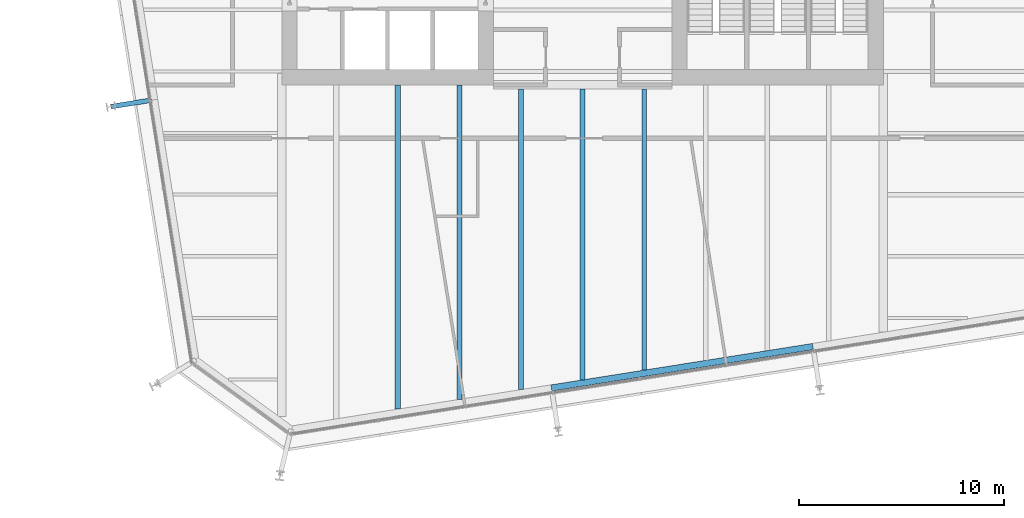
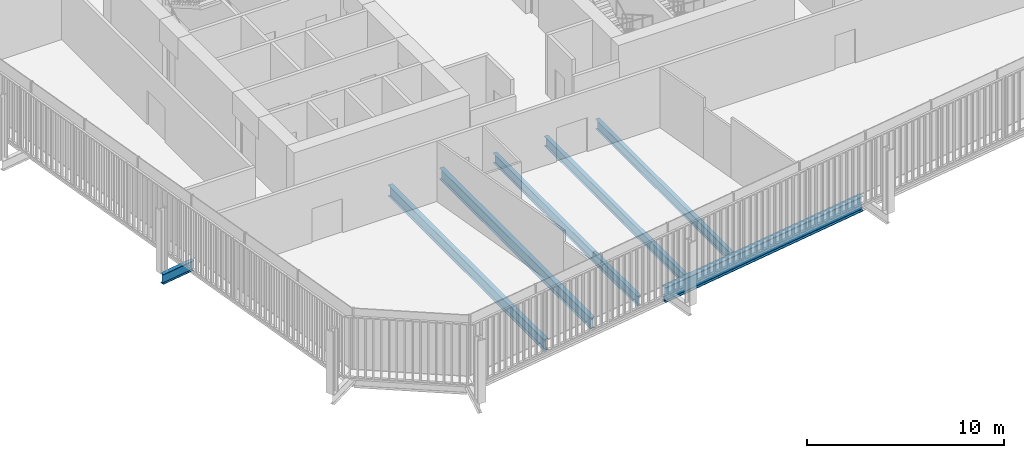
# One storey, part 3 of 21: 7 beams.
"""IFC4 building model written with IfcOpenShell, lengths in metres."""

from ifc_helpers import new_model, si_unit, direction, frame, origin, origin_2d, place, context, subcontext, project, spatial, i_section, extrude, material, material_profile, profile_set, type_object, element, save


model = new_model("IFC4")

# Units and contexts
model_context = context("Model", 3, precision=1e-05, world=origin(), true_north=direction((0.0, 1.0)))
body_context = subcontext(model_context, "Body", "Model", "MODEL_VIEW")
ifc_project = project(units=[si_unit("LENGTHUNIT", "METRE"), si_unit("AREAUNIT", "SQUARE_METRE"), si_unit("VOLUMEUNIT", "CUBIC_METRE"), si_unit("PLANEANGLEUNIT", "RADIAN"), si_unit("MASSUNIT", "GRAM", prefix="KILO")], contexts=[model_context])

# Site, building, storey
site_placement = place(None, origin())
site = spatial("IfcSite", under=ifc_project, at=site_placement, CompositionType="ELEMENT")
building_placement = place(site_placement, origin())
building = spatial("IfcBuilding", under=site, at=building_placement, Name="Millrace Tower", CompositionType="ELEMENT")
storey_placement = place(building_placement, frame((0.0, 0.0, 183.89990234375)))
storey = spatial("IfcBuildingStorey", under=building, at=storey_placement, Name="L41", CompositionType="ELEMENT", Elevation=183.89990234375)

# Beams
ifc_material_1 = material(Name="Steel ASTM A992 Grade 50", Category="steel")
ifc_material_profile_1 = material_profile(ifc_material_1, i_section(OverallWidth=0.228271484375, OverallDepth=0.607177734375, WebThickness=0.01123046875, FlangeThickness=0.017333984375, FilletRadius=0.0126953125, at=origin_2d()))
ifc_profile_set_1 = profile_set([ifc_material_profile_1], Name="Steel ASTM A992 Grade 50")
beam_type_1 = type_object("IfcBeamType", Name="Floor beam W24x76", PredefinedType="JOIST", material=ifc_profile_set_1)
beam_1_placement = place(storey_placement, frame((-3.0, -24.4970703125, -0.46337890625), z_axis=(0.0, 1.0, 0.0), x_axis=(-1.0, 0.0, 0.0)))
element("IfcBeam", 1, at=beam_1_placement, inside=storey, type_object=beam_type_1, Name="BM-C-L41-S1-S046", PredefinedType="JOIST", context=body_context, shape_type="SweptSolid", body=[
    extrude(i_section(OverallWidth=0.228271484375, OverallDepth=0.607177734375, WebThickness=0.01123046875, FlangeThickness=0.017333984375, FilletRadius=0.0126953125, at=origin_2d()), origin(), (0.0, 0.0, 1.0), 14.637451171875),
])
beam_2_placement = place(storey_placement, frame((0.0, -24.021728515625, -0.46337890625), z_axis=(0.0, 1.0, 0.0), x_axis=(-1.0, 0.0, 0.0)))
element("IfcBeam", 2, at=beam_2_placement, inside=storey, type_object=beam_type_1, Name="BM-C-L41-S1-S048", PredefinedType="JOIST", context=body_context, shape_type="SweptSolid", body=[
    extrude(i_section(OverallWidth=0.228271484375, OverallDepth=0.607177734375, WebThickness=0.01123046875, FlangeThickness=0.017333984375, FilletRadius=0.0126953125, at=origin_2d()), origin(), (0.0, 0.0, 1.0), 14.162109375),
])
beam_3_placement = place(storey_placement, frame((3.0, -23.546630859375, -0.46337890625), z_axis=(0.0, 1.0, 0.0), x_axis=(-1.0, 0.0, 0.0)))
element("IfcBeam", 3, at=beam_3_placement, inside=storey, type_object=beam_type_1, Name="BM-C-L41-S1-S050", PredefinedType="JOIST", context=body_context, shape_type="SweptSolid", body=[
    extrude(i_section(OverallWidth=0.228271484375, OverallDepth=0.607177734375, WebThickness=0.01123046875, FlangeThickness=0.017333984375, FilletRadius=0.0126953125, at=origin_2d()), origin(), (0.0, 0.0, 1.0), 13.68701171875),
])
ifc_material_2 = material(Name="Steel ASTM A992 Grade 50", Category="steel")
ifc_material_profile_2 = material_profile(ifc_material_2, i_section(OverallWidth=0.256591796875, OverallDepth=0.693359375, WebThickness=0.014404296875, FlangeThickness=0.023681640625, FilletRadius=0.01513671875, at=origin_2d()))
ifc_profile_set_2 = profile_set([ifc_material_profile_2], Name="Steel ASTM A992 Grade 50")
beam_type_2 = type_object("IfcBeamType", Name="Floor beam W27x114", PredefinedType="JOIST", material=ifc_profile_set_2)
beam_4_placement = place(storey_placement, frame((-9.0, -25.447265625, -0.506591796875), z_axis=(0.0, 1.0, 0.0), x_axis=(-1.0, 0.0, 0.0)))
element("IfcBeam", 4, at=beam_4_placement, inside=storey, type_object=beam_type_2, Name="BM-C-L41-S1-S042", PredefinedType="JOIST", context=body_context, shape_type="SweptSolid", body=[
    extrude(i_section(OverallWidth=0.256591796875, OverallDepth=0.693359375, WebThickness=0.014404296875, FlangeThickness=0.023681640625, FilletRadius=0.01513671875, at=origin_2d()), origin(), (0.0, 0.0, 1.0), 15.79736328125),
])
beam_5_placement = place(storey_placement, frame((-6.0, -24.97216796875, -0.506591796875), z_axis=(0.0, 1.0, 0.0), x_axis=(-1.0, 0.0, 0.0)))
element("IfcBeam", 5, at=beam_5_placement, inside=storey, type_object=beam_type_2, Name="BM-C-L41-S1-S044", PredefinedType="JOIST", context=body_context, shape_type="SweptSolid", body=[
    extrude(i_section(OverallWidth=0.256591796875, OverallDepth=0.693359375, WebThickness=0.014404296875, FlangeThickness=0.023681640625, FilletRadius=0.01513671875, at=origin_2d()), origin(), (0.0, 0.0, 1.0), 15.322265625),
])
ifc_material_3 = material(Name="Steel ASTM A992 Grade 50", Category="steel")
ifc_material_profile_3 = material_profile(ifc_material_3, i_section(OverallWidth=0.23046875, OverallDepth=0.6171875, WebThickness=0.01318359375, FlangeThickness=0.022216796875, FilletRadius=0.012939453125, at=origin_2d()))
ifc_profile_set_3 = profile_set([ifc_material_profile_3], Name="Steel ASTM A992 Grade 50")
beam_type_3 = type_object("IfcBeamType", Name="Link beam W24x94", PredefinedType="BEAM", material=ifc_profile_set_3)
beam_6_placement = place(storey_placement, frame((-21.001708984375, -10.396728515625, -0.468505859375), z_axis=(-0.987678691416, -0.156495375404, 0.0), x_axis=(0.156495375404, -0.987678691416, 0.0)))
element("IfcBeam", 6, at=beam_6_placement, inside=storey, type_object=beam_type_3, Name="LNK-C-L41-S1-02", PredefinedType="BEAM", context=body_context, shape_type="SweptSolid", body=[
    extrude(i_section(OverallWidth=0.23046875, OverallDepth=0.6171875, WebThickness=0.01318359375, FlangeThickness=0.022216796875, FilletRadius=0.012939453125, at=origin_2d()), origin(), (0.0, 0.0, 1.0), 2.0),
])
ifc_material_4 = material(Name="Steel ASTM A992 Grade 50", Category="steel")
ifc_material_profile_4 = material_profile(ifc_material_4, i_section(OverallWidth=0.307373046875, OverallDepth=0.927001953125, WebThickness=0.01953125, FlangeThickness=0.031982421875, FilletRadius=0.01904296875, at=origin_2d()))
ifc_profile_set_4 = profile_set([ifc_material_profile_4], Name="Steel ASTM A992 Grade 50")
beam_type_4 = type_object("IfcBeamType", Name="Ring beam medium span W36x194", PredefinedType="SPANDREL", material=ifc_profile_set_4)
beam_7_placement = place(storey_placement, frame((11.22265625, -22.39990234375, -0.62353515625), z_axis=(-0.987687196578, -0.156441687909, 0.0), x_axis=(0.156441687909, -0.987687196578, 0.0)))
element("IfcBeam", 7, at=beam_7_placement, inside=storey, type_object=beam_type_4, Name="RNG-C-L41-S1-14", PredefinedType="SPANDREL", context=body_context, shape_type="SweptSolid", body=[
    extrude(i_section(OverallWidth=0.307373046875, OverallDepth=0.927001953125, WebThickness=0.01953125, FlangeThickness=0.031982421875, FilletRadius=0.01904296875, at=origin_2d()), origin(), (0.0, 0.0, 1.0), 12.89990234375),
])

save(model, "model.ifc")
